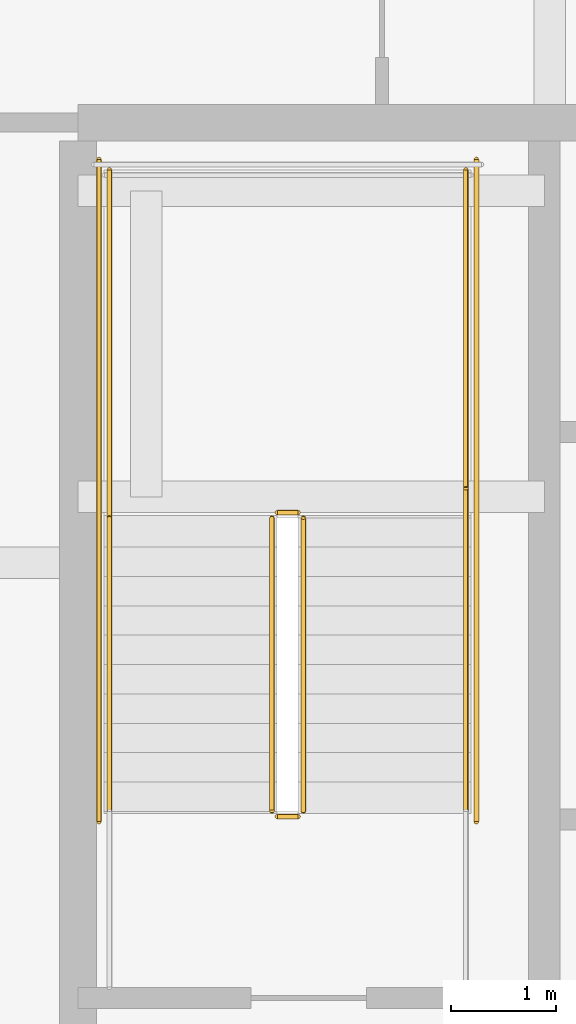
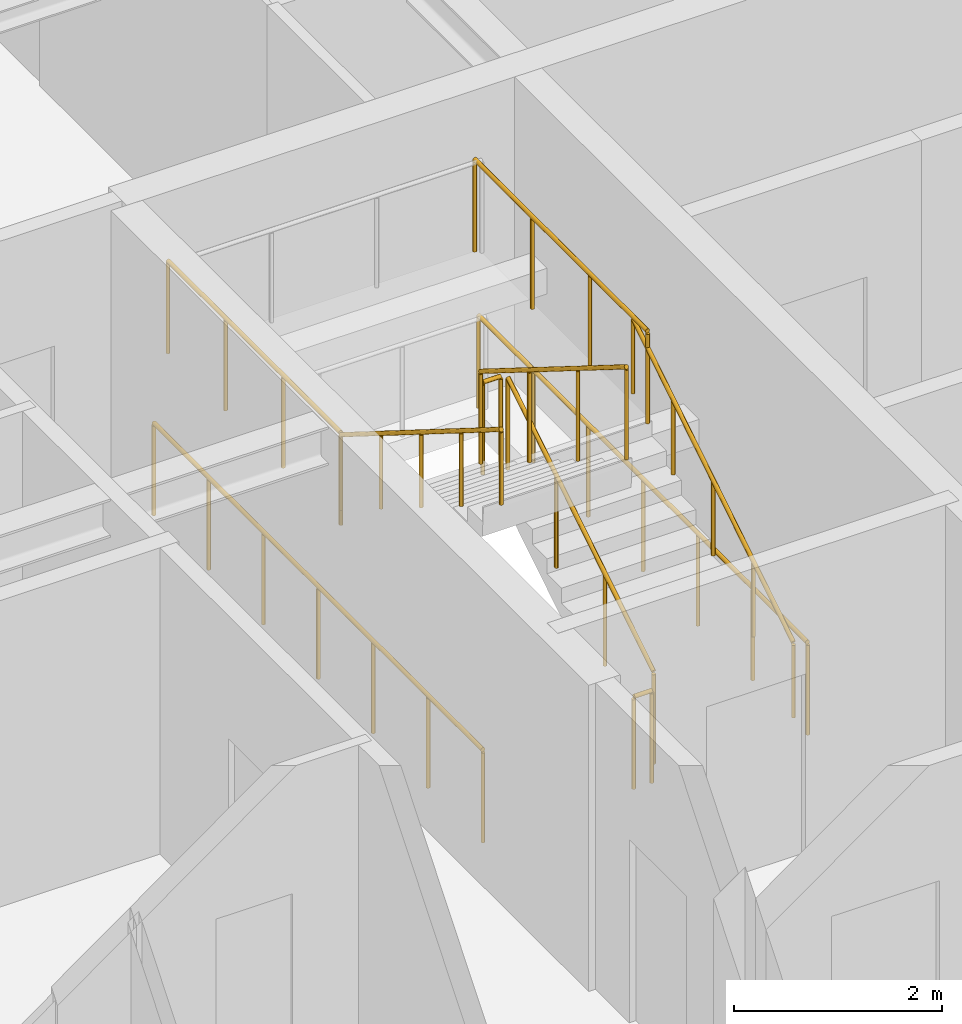
# One storey, part 35 of 38: 10 railings.
"""IFC4 building model written with IfcOpenShell, lengths in metres."""

import ifcopenshell
import ifcopenshell.guid

model = None  # the IFC model being written
_history = None  # IfcOwnerHistory: only IFC2X3 demands one
_inside = {}  # id of a spatial element -> (the spatial element, [elements in it])
_under = {}  # id of a project, library or spatial element -> (it, [spatial elements below it])
_declared = {}  # id of a project -> (the project, [libraries it declares])
_typed = {}  # id of a type object -> (the type object, [elements of that type])
_made_of = {}  # id of a material, layer set ... -> (it, [elements and type objects made of it])


def new_model(schema):
    """Start an empty IFC model of exactly this schema.

    Asked for "IFC4X3", IfcOpenShell would pick the latest addendum, in which some entities
    have other attributes; the version numbers below select the first issue.
    IFC2X3 requires an IfcOwnerHistory on every rooted entity: one is made here for all.
    """
    global model, _history
    if schema == "IFC4X3":
        model = ifcopenshell.file(schema_version=(4, 3, 0, 0))
    else:
        model = ifcopenshell.file(schema=schema)
    _inside.clear()
    _under.clear()
    _declared.clear()
    _typed.clear()
    _made_of.clear()
    _history = None
    if model.schema == "IFC2X3":
        org = make("IfcOrganization", Name="unknown")
        user = make(
            "IfcPersonAndOrganization",
            ThePerson=make("IfcPerson", FamilyName="unknown"),
            TheOrganization=org,
        )
        app = make(
            "IfcApplication",
            ApplicationDeveloper=org,
            Version="unknown",
            ApplicationFullName="unknown",
            ApplicationIdentifier="unknown",
        )
        _history = make(
            "IfcOwnerHistory",
            OwningUser=user,
            OwningApplication=app,
            ChangeAction="ADDED",
            CreationDate=0,
        )
    return model


def make(cls, **values):
    """One entity of the class cls with the attributes given. An attribute that is None is left unset."""
    return model.create_entity(
        cls, **{name: value for name, value in values.items() if value is not None}
    )


def rooted(cls, **values):
    """An entity with a GlobalId (a new one), such as an element, a storey or a relation."""
    return make(cls, GlobalId=ifcopenshell.guid.new(), OwnerHistory=_history, **values)


def si_unit(unit_type, name, prefix=None):
    """IfcSIUnit, for example si_unit("LENGTHUNIT", "METRE", prefix="MILLI")."""
    return make("IfcSIUnit", UnitType=unit_type, Prefix=prefix, Name=name)


def assignment(units):
    """IfcUnitAssignment: the units of a project."""
    return None if units is None else make("IfcUnitAssignment", Units=units)


def point(xyz):
    """IfcCartesianPoint."""
    return None if xyz is None else make("IfcCartesianPoint", Coordinates=xyz)


def direction(xyz):
    """IfcDirection."""
    return None if xyz is None else make("IfcDirection", DirectionRatios=xyz)


def frame(location, z_axis=None, x_axis=None):
    """IfcAxis2Placement3D, a coordinate frame: its origin and axes. An axis left out is left unset."""
    return make(
        "IfcAxis2Placement3D",
        Location=point(location),
        Axis=direction(z_axis),
        RefDirection=direction(x_axis),
    )


def frame_2d(location, x_axis=None):
    """IfcAxis2Placement2D, a coordinate frame in the plane: its origin and x axis."""
    return make(
        "IfcAxis2Placement2D", Location=point(location), RefDirection=direction(x_axis)
    )


def origin():
    """The frame at (0, 0, 0) with its axes left unset."""
    return frame((0.0, 0.0, 0.0))


def origin_2d():
    """The frame at (0, 0) in the plane with its x axis left unset."""
    return frame_2d((0.0, 0.0))


def place(relative_to, where):
    """IfcLocalPlacement: puts the frame where relative to a parent placement (None: the world)."""
    return make(
        "IfcLocalPlacement", PlacementRelTo=relative_to, RelativePlacement=where
    )


def context(
    kind, dimensions, precision=None, world=None, true_north=None, identifier=None
):
    """IfcGeometricRepresentationContext, for example the 3D "Model" context."""
    return make(
        "IfcGeometricRepresentationContext",
        ContextIdentifier=identifier,
        ContextType=kind,
        CoordinateSpaceDimension=dimensions,
        Precision=precision,
        WorldCoordinateSystem=world,
        TrueNorth=true_north,
    )


def subcontext(parent, identifier, kind, view, scale=None):
    """IfcGeometricRepresentationSubContext, for example "Body" below "Model"."""
    return make(
        "IfcGeometricRepresentationSubContext",
        ContextIdentifier=identifier,
        ContextType=kind,
        ParentContext=parent,
        TargetScale=scale,
        TargetView=view,
    )


def project(units=None, contexts=None):
    """IfcProject with its units and contexts."""
    return rooted(
        "IfcProject",
        Name="project",
        RepresentationContexts=contexts,
        UnitsInContext=assignment(units),
    )


def spatial(cls, under=None, at=None, **own):
    """A site, building, storey or space (cls), placed at a placement, below another one or the project."""
    s = rooted(cls, ObjectPlacement=at, **own)
    if under is not None:
        _under.setdefault(under.id(), (under, []))[1].append(s)
    return s


def profile(cls, at=None, kind="AREA", **sizes):
    """A parametric profile (cls). Its sizes go by their IFC names, for example OverallWidth=200.0."""
    return make(cls, ProfileType=kind, Position=at, **sizes)


def circle(**sizes):
    """IfcCircleProfileDef."""
    return profile("IfcCircleProfileDef", **sizes)


def extrude(swept, where, along, depth):
    """IfcExtrudedAreaSolid: the profile swept, set in the frame where, extruded along a direction by depth."""
    return make(
        "IfcExtrudedAreaSolid",
        SweptArea=swept,
        Position=where,
        ExtrudedDirection=direction(along),
        Depth=depth,
    )


def shape(context_of_items, identifier, shape_type, items):
    """IfcShapeRepresentation: the items that make up one representation, for example the "Body"."""
    return make(
        "IfcShapeRepresentation",
        ContextOfItems=context_of_items,
        RepresentationIdentifier=identifier,
        RepresentationType=shape_type,
        Items=items,
    )


def material(Name=None, Category=None):
    """IfcMaterial."""
    return make("IfcMaterial", Name=Name, Category=Category)


def made_of(thing, what):
    """Note that an element or type object is made of a material, layer set ...; save() writes the relation."""
    if what is not None:
        _made_of.setdefault(what.id(), (what, []))[1].append(thing)
    return thing


def type_object(cls, material=None, **own):
    """A type object (cls), such as IfcWallType, which elements share."""
    return made_of(rooted(cls, **own), material)


def element(
    cls,
    number,
    at=None,
    inside=None,
    cuts=None,
    type_object=None,
    material=None,
    context=None,
    identifier="Body",
    shape_type=None,
    held_by="IfcProductDefinitionShape",
    body=None,
    shapes=None,
    **own,
):
    """One element of the class cls, such as IfcWall. Its Tag is "e" and its number.

    at: its placement. inside: the storey or other place that contains it. cuts: it is an
    opening in that element (IfcRelVoidsElement). A single representation is given by context,
    identifier, shape_type and body (its items); several are given by shapes. held_by: the class
    of the entity that holds the representations. save() writes the other relations.
    """
    e = rooted(cls, Tag="e%d" % number, ObjectPlacement=at, **own)
    if body is not None:
        shapes = [shape(context, identifier, shape_type, body)]
    if shapes is not None:
        e.Representation = make(held_by, Representations=shapes)
    if inside is not None:
        _inside.setdefault(inside.id(), (inside, []))[1].append(e)
    if cuts is not None:
        rooted(
            "IfcRelVoidsElement", RelatingBuildingElement=cuts, RelatedOpeningElement=e
        )
    if type_object is not None:
        _typed.setdefault(type_object.id(), (type_object, []))[1].append(e)
    return made_of(e, material)


def aggregate(whole, parts):
    """IfcRelAggregates: a whole, such as a stair, and the parts it consists of."""
    return rooted("IfcRelAggregates", RelatingObject=whole, RelatedObjects=parts)


def save(model, path):
    """Write the relations noted so far, then the file.

    IfcRelAggregates (storeys below a building ...), IfcRelContainedInSpatialStructure (elements
    in a storey), IfcRelDefinesByType, IfcRelAssociatesMaterial and IfcRelDeclares: one each for
    every whole, place, type object, material and project.
    """
    for whole, parts in _under.values():
        aggregate(whole, parts)
    for where, things in _inside.values():
        rooted(
            "IfcRelContainedInSpatialStructure",
            RelatedElements=things,
            RelatingStructure=where,
        )
    for kind, things in _typed.values():
        rooted("IfcRelDefinesByType", RelatedObjects=things, RelatingType=kind)
    for what, things in _made_of.values():
        rooted("IfcRelAssociatesMaterial", RelatedObjects=things, RelatingMaterial=what)
    for by, libraries in _declared.values():
        rooted("IfcRelDeclares", RelatingContext=by, RelatedDefinitions=libraries)
    model.write(path)


model = new_model("IFC4")

# Units and contexts
model_context = context("Model", 3, precision=1e-05, world=origin(), true_north=direction((0.0, 1.0)))
body_context = subcontext(model_context, "Body", "Model", "MODEL_VIEW")
ifc_project = project(units=[si_unit("LENGTHUNIT", "METRE"), si_unit("AREAUNIT", "SQUARE_METRE"), si_unit("VOLUMEUNIT", "CUBIC_METRE"), si_unit("PLANEANGLEUNIT", "RADIAN"), si_unit("MASSUNIT", "GRAM", prefix="KILO")], contexts=[model_context])

# Site, building, storey
site_placement = place(None, origin())
site = spatial("IfcSite", under=ifc_project, at=site_placement, CompositionType="ELEMENT")
building_placement = place(site_placement, origin())
building = spatial("IfcBuilding", under=site, at=building_placement, Name="Serunith Strait Residences", CompositionType="ELEMENT")
storey_placement = place(building_placement, frame((0.0, 0.0, 237.39990234375)))
storey = spatial("IfcBuildingStorey", under=building, at=storey_placement, Name="L59", CompositionType="ELEMENT", Elevation=237.39990234375)

# Railings
ifc_material = material(Name="Brushed stainless steel 316L", Category="steel")
railing_type_1 = type_object("IfcRailingType", Name="RLG-STAIR-GUARD", PredefinedType="BALUSTRADE", material=ifc_material)
railing_1_placement = place(storey_placement, frame((25.550048828125, 27.030029296875, 0.175048828125)))
element("IfcRailing", 1, at=railing_1_placement, inside=storey, type_object=railing_type_1, Name="L59 ST-1 stair guard 1", PredefinedType="BALUSTRADE", context=body_context, shape_type="SweptSolid", body=[
    extrude(circle(Radius=0.02392578125, at=origin_2d()), frame((0.0, 0.001708984375, 1.0771484375), z_axis=(0.0, 0.848002457836, 0.529992293815), x_axis=(-1.0, 0.0, 0.0)), (0.0, 0.0, 1.0), 3.2978515625),
    extrude(circle(Radius=0.02099609375, at=origin_2d()), origin(), (0.0, 0.0, 1.0), 1.050048828125),
    extrude(circle(Radius=0.02099609375, at=origin_2d()), frame((0.0, 0.933349609375, 0.583251953125)), (0.0, 0.0, 1.0), 1.050048828125),
    extrude(circle(Radius=0.02099609375, at=origin_2d()), frame((0.0, 1.86669921875, 1.166748046875)), (0.0, 0.0, 1.0), 1.050048828125),
    extrude(circle(Radius=0.02099609375, at=origin_2d()), frame((0.0, 2.800048828125, 1.75)), (0.0, 0.0, 1.0), 1.050048828125),
])
railing_2_placement = place(storey_placement, frame((25.5, 29.8798828125, 1.925048828125)))
element("IfcRailing", 2, at=railing_2_placement, inside=storey, type_object=railing_type_1, Name="L59 ST-1 stair guard 2", PredefinedType="BALUSTRADE", context=body_context, shape_type="SweptSolid", body=[
    extrude(circle(Radius=0.02392578125, at=origin_2d()), frame((-0.001953125, 0.0, 1.076171875), z_axis=(-1.0, 0.0, 0.0), x_axis=(0.0, -1.0, 0.0)), (0.0, 0.0, 1.0), 0.196044921875),
    extrude(circle(Radius=0.02099609375, at=origin_2d()), origin(), (0.0, 0.0, 1.0), 1.050048828125),
    extrude(circle(Radius=0.02099609375, at=origin_2d()), frame((-0.199951171875, 0.0, 0.0)), (0.0, 0.0, 1.0), 1.050048828125),
])
for number, where, name in (
    (3, (27.10009765625, 29.830078125, 1.925048828125), "L59 ST-1 stair guard 3"),
    (4, (23.699951171875, 29.830078125, 1.925048828125), "L59 ST-1 stair guard 4"),
):
    element("IfcRailing", number, at=place(storey_placement, frame(where)), inside=storey, type_object=railing_type_1, Name=name, PredefinedType="BALUSTRADE", context=body_context, shape_type="SweptSolid", body=[
        extrude(circle(Radius=0.02392578125, at=origin_2d()), frame((0.0, 0.001953125, 1.076171875), z_axis=(0.0, 1.0, 0.0), x_axis=(-1.0, 0.0, 0.0)), (0.0, 0.0, 1.0), 3.31591796875),
        extrude(circle(Radius=0.02099609375, at=origin_2d()), origin(), (0.0, 0.0, 1.0), 1.050048828125),
        extrude(circle(Radius=0.02099609375, at=origin_2d()), frame((0.0, 1.106689453125, 0.0)), (0.0, 0.0, 1.0), 1.050048828125),
        extrude(circle(Radius=0.02099609375, at=origin_2d()), frame((0.0, 2.213134765625, 0.0)), (0.0, 0.0, 1.0), 1.050048828125),
        extrude(circle(Radius=0.02099609375, at=origin_2d()), frame((0.0, 3.31982421875, 0.0)), (0.0, 0.0, 1.0), 1.050048828125),
    ])
railing_3_placement = place(storey_placement, frame((25.25, 29.830078125, 2.10009765625)))
element("IfcRailing", 5, at=railing_3_placement, inside=storey, type_object=railing_type_1, Name="L59 ST-1 stair guard 6", PredefinedType="BALUSTRADE", context=body_context, shape_type="SweptSolid", body=[
    extrude(circle(Radius=0.02392578125, at=origin_2d()), frame((0.0, -0.001708984375, 1.0771484375), z_axis=(0.0, -0.848002457836, 0.529992293815), x_axis=(1.0, 0.0, 0.0)), (0.0, 0.0, 1.0), 3.2978515625),
    extrude(circle(Radius=0.02099609375, at=origin_2d()), origin(), (0.0, 0.0, 1.0), 1.050048828125),
    extrude(circle(Radius=0.02099609375, at=origin_2d()), frame((0.0, -0.933349609375, 0.583251953125)), (0.0, 0.0, 1.0), 1.050048828125),
    extrude(circle(Radius=0.02099609375, at=origin_2d()), frame((0.0, -1.86669921875, 1.166748046875)), (0.0, 0.0, 1.0), 1.050048828125),
    extrude(circle(Radius=0.02099609375, at=origin_2d()), frame((0.0, -2.800048828125, 1.75)), (0.0, 0.0, 1.0), 1.050048828125),
])
railing_4_placement = place(storey_placement, frame((25.5, 26.97998046875, 0.0)))
element("IfcRailing", 6, at=railing_4_placement, inside=storey, type_object=railing_type_1, Name="L59 ST-1 stair guard 7", PredefinedType="BALUSTRADE", context=body_context, shape_type="SweptSolid", body=[
    extrude(circle(Radius=0.02392578125, at=origin_2d()), frame((-0.001953125, 0.0, 1.076171875), z_axis=(-1.0, 0.0, 0.0), x_axis=(0.0, -1.0, 0.0)), (0.0, 0.0, 1.0), 0.196044921875),
    extrude(circle(Radius=0.02099609375, at=origin_2d()), origin(), (0.0, 0.0, 1.0), 1.050048828125),
    extrude(circle(Radius=0.02099609375, at=origin_2d()), frame((-0.199951171875, 0.0, 0.0)), (0.0, 0.0, 1.0), 1.050048828125),
])
for number, where, name in (
    (7, (27.199951171875, 26.929931640625, 0.0), "L59 ST-1 stair guard 10"),
    (8, (23.60009765625, 26.929931640625, 0.0), "L59 ST-1 stair guard 11"),
):
    element("IfcRailing", number, at=place(storey_placement, frame(where)), inside=storey, type_object=railing_type_1, Name=name, PredefinedType="BALUSTRADE", context=body_context, shape_type="SweptSolid", body=[
        extrude(circle(Radius=0.02392578125, at=origin_2d()), frame((0.0, 0.001953125, 1.076171875), z_axis=(0.0, 1.0, 0.0), x_axis=(-1.0, 0.0, 0.0)), (0.0, 0.0, 1.0), 6.316162109375),
        extrude(circle(Radius=0.02099609375, at=origin_2d()), origin(), (0.0, 0.0, 1.0), 1.050048828125),
        extrude(circle(Radius=0.02099609375, at=origin_2d()), frame((0.0, 1.05322265625, 0.0)), (0.0, 0.0, 1.0), 1.050048828125),
        extrude(circle(Radius=0.02099609375, at=origin_2d()), frame((0.0, 2.106689453125, 0.0)), (0.0, 0.0, 1.0), 1.050048828125),
        extrude(circle(Radius=0.02099609375, at=origin_2d()), frame((0.0, 3.16015625, 0.0)), (0.0, 0.0, 1.0), 1.050048828125),
        extrude(circle(Radius=0.02099609375, at=origin_2d()), frame((0.0, 4.21337890625, 0.0)), (0.0, 0.0, 1.0), 1.050048828125),
        extrude(circle(Radius=0.02099609375, at=origin_2d()), frame((0.0, 5.2666015625, 0.0)), (0.0, 0.0, 1.0), 1.050048828125),
        extrude(circle(Radius=0.02099609375, at=origin_2d()), frame((0.0, 6.320068359375, 0.0)), (0.0, 0.0, 1.0), 1.050048828125),
    ])
railing_type_2 = type_object("IfcRailingType", Name="RLG-STAIR-HR", PredefinedType="HANDRAIL", material=ifc_material)
railing_5_placement = place(storey_placement, frame((27.10009765625, 27.030029296875, 0.175048828125)))
element("IfcRailing", 9, at=railing_5_placement, inside=storey, type_object=railing_type_2, Name="L59 ST-1 stair handrail 1", PredefinedType="HANDRAIL", context=body_context, shape_type="SweptSolid", body=[
    extrude(circle(Radius=0.02392578125, at=origin_2d()), frame((0.0, 0.001708984375, 0.876953125), z_axis=(0.0, 0.847393994688, 0.530964610654), x_axis=(-1.0, 0.0, 0.0)), (0.0, 0.0, 1.0), 3.630859375),
    extrude(circle(Radius=0.02099609375, at=origin_2d()), origin(), (0.0, 0.0, 1.0), 0.849853515625),
    extrude(circle(Radius=0.02099609375, at=origin_2d()), frame((0.0, 0.77001953125, 0.482421875)), (0.0, 0.0, 1.0), 0.849853515625),
    extrude(circle(Radius=0.02099609375, at=origin_2d()), frame((0.0, 1.5400390625, 0.96484375)), (0.0, 0.0, 1.0), 0.849853515625),
    extrude(circle(Radius=0.02099609375, at=origin_2d()), frame((0.0, 2.31005859375, 1.447509765625)), (0.0, 0.0, 1.0), 0.849853515625),
    extrude(circle(Radius=0.02099609375, at=origin_2d()), frame((0.0, 3.080078125, 1.929931640625)), (0.0, 0.0, 1.0), 0.849853515625),
])
railing_6_placement = place(storey_placement, frame((23.699951171875, 29.830078125, 2.10009765625)))
element("IfcRailing", 10, at=railing_6_placement, inside=storey, type_object=railing_type_2, Name="L59 ST-1 stair handrail 2", PredefinedType="HANDRAIL", context=body_context, shape_type="SweptSolid", body=[
    extrude(circle(Radius=0.02392578125, at=origin_2d()), frame((0.0, -0.001708984375, 0.876953125), z_axis=(0.0, -0.847393994688, 0.530964610654), x_axis=(1.0, 0.0, 0.0)), (0.0, 0.0, 1.0), 3.630859375),
    extrude(circle(Radius=0.02099609375, at=origin_2d()), origin(), (0.0, 0.0, 1.0), 0.849853515625),
    extrude(circle(Radius=0.02099609375, at=origin_2d()), frame((0.0, -0.77001953125, 0.482421875)), (0.0, 0.0, 1.0), 0.849853515625),
    extrude(circle(Radius=0.02099609375, at=origin_2d()), frame((0.0, -1.5400390625, 0.96484375)), (0.0, 0.0, 1.0), 0.849853515625),
    extrude(circle(Radius=0.02099609375, at=origin_2d()), frame((0.0, -2.31005859375, 1.447509765625)), (0.0, 0.0, 1.0), 0.849853515625),
    extrude(circle(Radius=0.02099609375, at=origin_2d()), frame((0.0, -3.080078125, 1.929931640625)), (0.0, 0.0, 1.0), 0.849853515625),
])

save(model, "model.ifc")
